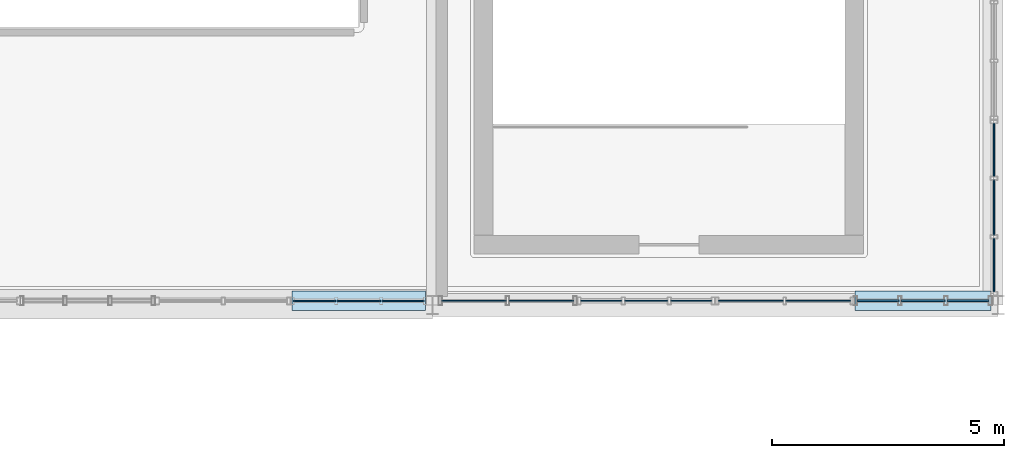
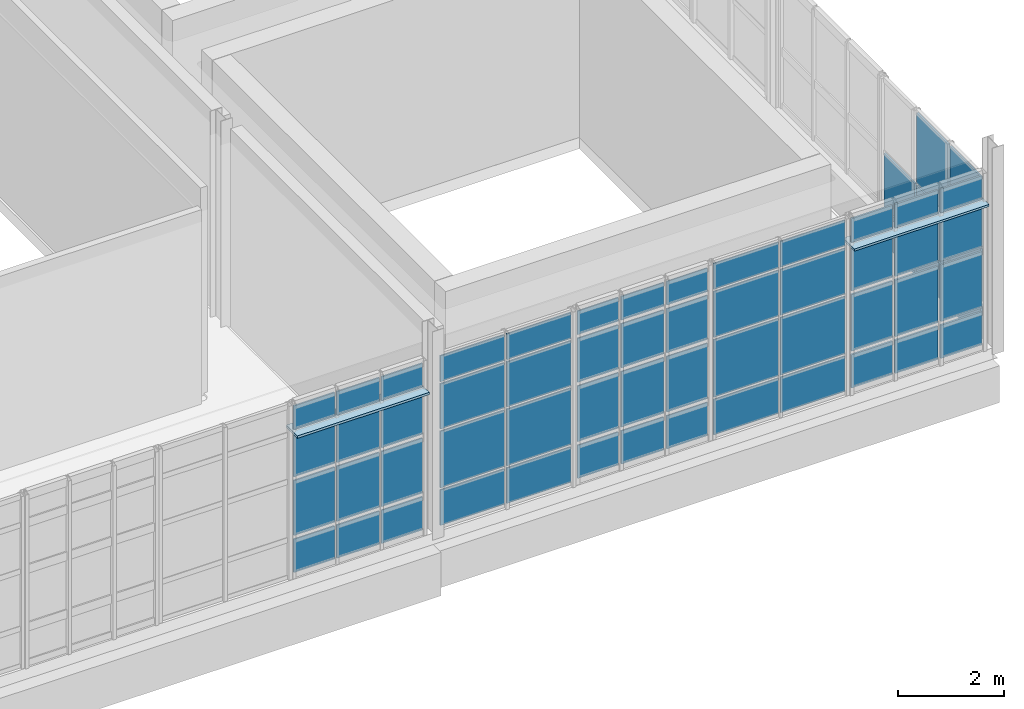
# One storey, part 78 of 102: 62 plates, 6 elements without a shape of their own.
"""IFC4 building model written with IfcOpenShell, lengths in metres."""

from ifc_helpers import new_model, si_unit, derived_unit, direction, frame, origin, origin_2d, place, context, subcontext, project, spatial, rectangle, extrude, material, layer, layer_set, type_object, element, aggregate, save


model = new_model("IFC4")

# Units and contexts
model_context = context("Model", 3, precision=1e-05, world=origin(), true_north=direction((0.0, 1.0)))
body_context = subcontext(model_context, "Body", "Model", "MODEL_VIEW")
ifc_project = project(units=[si_unit("LENGTHUNIT", "METRE"), si_unit("AREAUNIT", "SQUARE_METRE"), si_unit("VOLUMEUNIT", "CUBIC_METRE"), si_unit("PLANEANGLEUNIT", "RADIAN"), si_unit("MASSUNIT", "GRAM", prefix="KILO"), derived_unit("THERMALTRANSMITTANCEUNIT", [(si_unit("POWERUNIT", "WATT"), 1), (si_unit("LENGTHUNIT", "METRE"), -2), (si_unit("THERMODYNAMICTEMPERATUREUNIT", "KELVIN"), -1)])], contexts=[model_context])

# Site, building, storey
site_placement = place(None, origin())
site = spatial("IfcSite", under=ifc_project, at=site_placement, CompositionType="ELEMENT")
building_placement = place(site_placement, origin())
building = spatial("IfcBuilding", under=site, at=building_placement, Name="Nallur Shell Playhouse", CompositionType="ELEMENT")
storey_placement = place(building_placement, frame((0.0, 0.0, 15.0)))
storey = spatial("IfcBuildingStorey", under=building, at=storey_placement, Name="L04", CompositionType="ELEMENT", Elevation=15.0)

# Curtain wall, plates
ifc_material_1 = material(Name="Anodised Aluminium Double-Glazed Facade System", Category="aluminium")
ifc_layer_1 = layer(ifc_material_1, 0.1640625)
ifc_layer_set_1 = layer_set([ifc_layer_1], Name="Anodised Aluminium Double-Glazed Facade System")
curtain_wall_type_1 = type_object("IfcCurtainWallType", Name="CW-UNIT-25", PredefinedType="NOTDEFINED", material=ifc_layer_set_1)
curtain_wall_1_placement = place(storey_placement, origin())
curtain_wall_1 = element("IfcCurtainWall", 1, at=curtain_wall_1_placement, inside=storey, type_object=curtain_wall_type_1, Name="Unitised curtain wall CW-121 (L04)", PredefinedType="NOTDEFINED")
ifc_material_2 = material(Name="Solar-Control Low-E Laminated Insulating Glass", Category="glass")
ifc_layer_2 = layer(ifc_material_2, 0.02587890625)
ifc_layer_set_2 = layer_set([ifc_layer_2], Name="Solar-Control Low-E Laminated Insulating Glass")
plate_type_1 = type_object("IfcPlateType", Name="PT-GLZ-01", PredefinedType="CURTAIN_PANEL", material=ifc_layer_set_2)
plate_1_placement = place(storey_placement, frame((155.9189453125, 24.090087890625, 0.05712890625), z_axis=(0.0, 0.0, 1.0), x_axis=(-1.0, 0.0, 0.0)))
plate_1 = element("IfcPlate", 2, at=plate_1_placement, type_object=plate_type_1, Name="CW-25 panel 1.1", PredefinedType="CURTAIN_PANEL", context=body_context, shape_type="SweptSolid", body=[
    extrude(rectangle(XDim=1.4052734375, YDim=0.02587890625, at=origin_2d()), origin(), (0.0, 0.0, 1.0), 0.818603515625),
])
plate_2_placement = place(storey_placement, frame((155.9189453125, 24.090087890625, 0.92431640625), z_axis=(0.0, 0.0, 1.0), x_axis=(-1.0, 0.0, 0.0)))
plate_2 = element("IfcPlate", 3, at=plate_2_placement, type_object=plate_type_1, Name="CW-25 panel 1.2", PredefinedType="CURTAIN_PANEL", context=body_context, shape_type="SweptSolid", body=[
    extrude(rectangle(XDim=1.4052734375, YDim=0.02587890625, at=origin_2d()), origin(), (0.0, 0.0, 1.0), 1.326904296875),
])
plate_3_placement = place(storey_placement, frame((155.9189453125, 24.090087890625, 2.300537109375), z_axis=(0.0, 0.0, 1.0), x_axis=(-1.0, 0.0, 0.0)))
plate_3 = element("IfcPlate", 4, at=plate_3_placement, type_object=plate_type_1, Name="CW-25 panel 1.3", PredefinedType="CURTAIN_PANEL", context=body_context, shape_type="SweptSolid", body=[
    extrude(rectangle(XDim=1.4052734375, YDim=0.02587890625, at=origin_2d()), origin(), (0.0, 0.0, 1.0), 1.06005859375),
])
plate_4_placement = place(storey_placement, frame((155.9189453125, 24.090087890625, 3.40966796875), z_axis=(0.0, 0.0, 1.0), x_axis=(-1.0, 0.0, 0.0)))
plate_4 = element("IfcPlate", 5, at=plate_4_placement, type_object=plate_type_1, Name="CW-25 panel 1.4", PredefinedType="CURTAIN_PANEL", context=body_context, shape_type="SweptSolid", body=[
    extrude(rectangle(XDim=1.4052734375, YDim=0.02587890625, at=origin_2d()), origin(), (0.0, 0.0, 1.0), 0.598388671875),
])
plate_5_placement = place(storey_placement, frame((154.464599609375, 24.090087890625, 0.05712890625), z_axis=(0.0, 0.0, 1.0), x_axis=(-1.0, 0.0, 0.0)))
plate_5 = element("IfcPlate", 6, at=plate_5_placement, type_object=plate_type_1, Name="CW-25 panel 2.1", PredefinedType="CURTAIN_PANEL", context=body_context, shape_type="SweptSolid", body=[
    extrude(rectangle(XDim=1.4052734375, YDim=0.02587890625, at=origin_2d()), origin(), (0.0, 0.0, 1.0), 0.818603515625),
])
plate_6_placement = place(storey_placement, frame((154.464599609375, 24.090087890625, 0.92431640625), z_axis=(0.0, 0.0, 1.0), x_axis=(-1.0, 0.0, 0.0)))
plate_6 = element("IfcPlate", 7, at=plate_6_placement, type_object=plate_type_1, Name="CW-25 panel 2.2", PredefinedType="CURTAIN_PANEL", context=body_context, shape_type="SweptSolid", body=[
    extrude(rectangle(XDim=1.4052734375, YDim=0.02587890625, at=origin_2d()), origin(), (0.0, 0.0, 1.0), 1.326904296875),
])
plate_7_placement = place(storey_placement, frame((154.464599609375, 24.090087890625, 2.300537109375), z_axis=(0.0, 0.0, 1.0), x_axis=(-1.0, 0.0, 0.0)))
plate_7 = element("IfcPlate", 8, at=plate_7_placement, type_object=plate_type_1, Name="CW-25 panel 2.3", PredefinedType="CURTAIN_PANEL", context=body_context, shape_type="SweptSolid", body=[
    extrude(rectangle(XDim=1.4052734375, YDim=0.02587890625, at=origin_2d()), origin(), (0.0, 0.0, 1.0), 1.06005859375),
])
plate_8_placement = place(storey_placement, frame((154.464599609375, 24.090087890625, 3.40966796875), z_axis=(0.0, 0.0, 1.0), x_axis=(-1.0, 0.0, 0.0)))
plate_8 = element("IfcPlate", 9, at=plate_8_placement, type_object=plate_type_1, Name="CW-25 panel 2.4", PredefinedType="CURTAIN_PANEL", context=body_context, shape_type="SweptSolid", body=[
    extrude(rectangle(XDim=1.4052734375, YDim=0.02587890625, at=origin_2d()), origin(), (0.0, 0.0, 1.0), 0.598388671875),
])
aggregate(curtain_wall_1, [plate_1, plate_2, plate_3, plate_4, plate_5, plate_6, plate_7, plate_8])

ifc_layer_3 = layer(ifc_material_1, 0.16796875)
ifc_layer_set_3 = layer_set([ifc_layer_3], Name="Anodised Aluminium Double-Glazed Facade System")
curtain_wall_type_2 = type_object("IfcCurtainWallType", Name="CW-UNIT-26", PredefinedType="NOTDEFINED", material=ifc_layer_set_3)
curtain_wall_2_placement = place(storey_placement, origin())
curtain_wall_2 = element("IfcCurtainWall", 10, at=curtain_wall_2_placement, inside=storey, type_object=curtain_wall_type_2, Name="Unitised curtain wall CW-122 (L04)", PredefinedType="NOTDEFINED")
ifc_layer_4 = layer(ifc_material_2, 0.028076171875)
ifc_layer_set_4 = layer_set([ifc_layer_4], Name="Solar-Control Low-E Laminated Insulating Glass")
plate_type_2 = type_object("IfcPlateType", Name="PT-GLZ-02", PredefinedType="CURTAIN_PANEL", material=ifc_layer_set_4)
plate_9_placement = place(storey_placement, frame((153.179443359375, 24.090087890625, 0.092041015625), z_axis=(0.0, 0.0, 1.0), x_axis=(-1.0, 0.0, 0.0)))
plate_9 = element("IfcPlate", 11, at=plate_9_placement, type_object=plate_type_2, Name="CW-26 panel 1.1", PredefinedType="CURTAIN_PANEL", context=body_context, shape_type="SweptSolid", body=[
    extrude(rectangle(XDim=0.88720703125, YDim=0.028076171875, at=origin_2d()), origin(), (0.0, 0.0, 1.0), 0.76611328125),
])
plate_10_placement = place(storey_placement, frame((153.179443359375, 24.090087890625, 0.94189453125), z_axis=(0.0, 0.0, 1.0), x_axis=(-1.0, 0.0, 0.0)))
plate_10 = element("IfcPlate", 12, at=plate_10_placement, type_object=plate_type_2, Name="CW-26 panel 1.2", PredefinedType="CURTAIN_PANEL", context=body_context, shape_type="SweptSolid", body=[
    extrude(rectangle(XDim=0.88720703125, YDim=0.028076171875, at=origin_2d()), origin(), (0.0, 0.0, 1.0), 1.281005859375),
])
plate_11_placement = place(storey_placement, frame((153.179443359375, 24.090087890625, 2.306884765625), z_axis=(0.0, 0.0, 1.0), x_axis=(-1.0, 0.0, 0.0)))
plate_11 = element("IfcPlate", 13, at=plate_11_placement, type_object=plate_type_2, Name="CW-26 panel 1.3", PredefinedType="CURTAIN_PANEL", context=body_context, shape_type="SweptSolid", body=[
    extrude(rectangle(XDim=0.88720703125, YDim=0.028076171875, at=origin_2d()), origin(), (0.0, 0.0, 1.0), 1.01611328125),
])
plate_12_placement = place(storey_placement, frame((153.179443359375, 24.090087890625, 3.406982421875), z_axis=(0.0, 0.0, 1.0), x_axis=(-1.0, 0.0, 0.0)))
plate_12 = element("IfcPlate", 14, at=plate_12_placement, type_object=plate_type_2, Name="CW-26 panel 1.4", PredefinedType="CURTAIN_PANEL", context=body_context, shape_type="SweptSolid", body=[
    extrude(rectangle(XDim=0.88720703125, YDim=0.028076171875, at=origin_2d()), origin(), (0.0, 0.0, 1.0), 0.5458984375),
])
plate_13_placement = place(storey_placement, frame((152.208251953125, 24.090087890625, 0.092041015625), z_axis=(0.0, 0.0, 1.0), x_axis=(-1.0, 0.0, 0.0)))
plate_13 = element("IfcPlate", 15, at=plate_13_placement, type_object=plate_type_2, Name="CW-26 panel 2.1", PredefinedType="CURTAIN_PANEL", context=body_context, shape_type="SweptSolid", body=[
    extrude(rectangle(XDim=0.92724609375, YDim=0.028076171875, at=origin_2d()), origin(), (0.0, 0.0, 1.0), 0.76611328125),
])
plate_14_placement = place(storey_placement, frame((152.208251953125, 24.090087890625, 0.94189453125), z_axis=(0.0, 0.0, 1.0), x_axis=(-1.0, 0.0, 0.0)))
plate_14 = element("IfcPlate", 16, at=plate_14_placement, type_object=plate_type_2, Name="CW-26 panel 2.2", PredefinedType="CURTAIN_PANEL", context=body_context, shape_type="SweptSolid", body=[
    extrude(rectangle(XDim=0.92724609375, YDim=0.028076171875, at=origin_2d()), origin(), (0.0, 0.0, 1.0), 1.281005859375),
])
plate_15_placement = place(storey_placement, frame((152.208251953125, 24.090087890625, 2.306884765625), z_axis=(0.0, 0.0, 1.0), x_axis=(-1.0, 0.0, 0.0)))
plate_15 = element("IfcPlate", 17, at=plate_15_placement, type_object=plate_type_2, Name="CW-26 panel 2.3", PredefinedType="CURTAIN_PANEL", context=body_context, shape_type="SweptSolid", body=[
    extrude(rectangle(XDim=0.92724609375, YDim=0.028076171875, at=origin_2d()), origin(), (0.0, 0.0, 1.0), 1.01611328125),
])
plate_16_placement = place(storey_placement, frame((152.208251953125, 24.090087890625, 3.406982421875), z_axis=(0.0, 0.0, 1.0), x_axis=(-1.0, 0.0, 0.0)))
plate_16 = element("IfcPlate", 18, at=plate_16_placement, type_object=plate_type_2, Name="CW-26 panel 2.4", PredefinedType="CURTAIN_PANEL", context=body_context, shape_type="SweptSolid", body=[
    extrude(rectangle(XDim=0.92724609375, YDim=0.028076171875, at=origin_2d()), origin(), (0.0, 0.0, 1.0), 0.5458984375),
])
plate_17_placement = place(storey_placement, frame((151.237060546875, 24.090087890625, 0.092041015625), z_axis=(0.0, 0.0, 1.0), x_axis=(-1.0, 0.0, 0.0)))
plate_17 = element("IfcPlate", 19, at=plate_17_placement, type_object=plate_type_2, Name="CW-26 panel 3.1", PredefinedType="CURTAIN_PANEL", context=body_context, shape_type="SweptSolid", body=[
    extrude(rectangle(XDim=0.88720703125, YDim=0.028076171875, at=origin_2d()), origin(), (0.0, 0.0, 1.0), 0.76611328125),
])
plate_18_placement = place(storey_placement, frame((151.237060546875, 24.090087890625, 0.94189453125), z_axis=(0.0, 0.0, 1.0), x_axis=(-1.0, 0.0, 0.0)))
plate_18 = element("IfcPlate", 20, at=plate_18_placement, type_object=plate_type_2, Name="CW-26 panel 3.2", PredefinedType="CURTAIN_PANEL", context=body_context, shape_type="SweptSolid", body=[
    extrude(rectangle(XDim=0.88720703125, YDim=0.028076171875, at=origin_2d()), origin(), (0.0, 0.0, 1.0), 1.281005859375),
])
plate_19_placement = place(storey_placement, frame((151.237060546875, 24.090087890625, 2.306884765625), z_axis=(0.0, 0.0, 1.0), x_axis=(-1.0, 0.0, 0.0)))
plate_19 = element("IfcPlate", 21, at=plate_19_placement, type_object=plate_type_2, Name="CW-26 panel 3.3", PredefinedType="CURTAIN_PANEL", context=body_context, shape_type="SweptSolid", body=[
    extrude(rectangle(XDim=0.88720703125, YDim=0.028076171875, at=origin_2d()), origin(), (0.0, 0.0, 1.0), 1.01611328125),
])
plate_20_placement = place(storey_placement, frame((151.237060546875, 24.090087890625, 3.406982421875), z_axis=(0.0, 0.0, 1.0), x_axis=(-1.0, 0.0, 0.0)))
plate_20 = element("IfcPlate", 22, at=plate_20_placement, type_object=plate_type_2, Name="CW-26 panel 3.4", PredefinedType="CURTAIN_PANEL", context=body_context, shape_type="SweptSolid", body=[
    extrude(rectangle(XDim=0.88720703125, YDim=0.028076171875, at=origin_2d()), origin(), (0.0, 0.0, 1.0), 0.5458984375),
])
aggregate(curtain_wall_2, [plate_9, plate_10, plate_11, plate_12, plate_13, plate_14, plate_15, plate_16, plate_17, plate_18, plate_19, plate_20])

ifc_layer_5 = layer(ifc_material_1, 0.172119140625)
ifc_layer_set_5 = layer_set([ifc_layer_5], Name="Anodised Aluminium Double-Glazed Facade System")
curtain_wall_type_3 = type_object("IfcCurtainWallType", Name="CW-UNIT-27", PredefinedType="NOTDEFINED", material=ifc_layer_set_5)
curtain_wall_3_placement = place(storey_placement, origin())
curtain_wall_3 = element("IfcCurtainWall", 23, at=curtain_wall_3_placement, inside=storey, type_object=curtain_wall_type_3, Name="Unitised curtain wall CW-123 (L04)", PredefinedType="NOTDEFINED")
ifc_layer_6 = layer(ifc_material_2, 0.030029296875)
ifc_layer_set_6 = layer_set([ifc_layer_6], Name="Solar-Control Low-E Laminated Insulating Glass")
plate_type_3 = type_object("IfcPlateType", Name="PT-GLZ-03", PredefinedType="CURTAIN_PANEL", material=ifc_layer_set_6)
plate_21_placement = place(storey_placement, frame((149.9482421875, 24.090087890625, 0.05712890625), z_axis=(0.0, 0.0, 1.0), x_axis=(-1.0, 0.0, 0.0)))
plate_21 = element("IfcPlate", 24, at=plate_21_placement, type_object=plate_type_3, Name="CW-27 panel 1.1", PredefinedType="CURTAIN_PANEL", context=body_context, shape_type="SweptSolid", body=[
    extrude(rectangle(XDim=1.392822265625, YDim=0.030029296875, at=origin_2d()), origin(), (0.0, 0.0, 1.0), 0.818603515625),
])
plate_22_placement = place(storey_placement, frame((149.9482421875, 24.090087890625, 0.92431640625), z_axis=(0.0, 0.0, 1.0), x_axis=(-1.0, 0.0, 0.0)))
plate_22 = element("IfcPlate", 25, at=plate_22_placement, type_object=plate_type_3, Name="CW-27 panel 1.2", PredefinedType="CURTAIN_PANEL", context=body_context, shape_type="SweptSolid", body=[
    extrude(rectangle(XDim=1.392822265625, YDim=0.030029296875, at=origin_2d()), origin(), (0.0, 0.0, 1.0), 1.304931640625),
])
plate_23_placement = place(storey_placement, frame((149.9482421875, 24.090087890625, 2.278564453125), z_axis=(0.0, 0.0, 1.0), x_axis=(-1.0, 0.0, 0.0)))
plate_23 = element("IfcPlate", 26, at=plate_23_placement, type_object=plate_type_3, Name="CW-27 panel 1.3", PredefinedType="CURTAIN_PANEL", context=body_context, shape_type="SweptSolid", body=[
    extrude(rectangle(XDim=1.392822265625, YDim=0.030029296875, at=origin_2d()), origin(), (0.0, 0.0, 1.0), 1.0419921875),
])
plate_24_placement = place(storey_placement, frame((149.9482421875, 24.090087890625, 3.36962890625), z_axis=(0.0, 0.0, 1.0), x_axis=(-1.0, 0.0, 0.0)))
plate_24 = element("IfcPlate", 27, at=plate_24_placement, type_object=plate_type_3, Name="CW-27 panel 1.4", PredefinedType="CURTAIN_PANEL", context=body_context, shape_type="SweptSolid", body=[
    extrude(rectangle(XDim=1.392822265625, YDim=0.030029296875, at=origin_2d()), origin(), (0.0, 0.0, 1.0), 0.598388671875),
])
plate_25_placement = place(storey_placement, frame((148.496337890625, 24.090087890625, 0.05712890625), z_axis=(0.0, 0.0, 1.0), x_axis=(-1.0, 0.0, 0.0)))
plate_25 = element("IfcPlate", 28, at=plate_25_placement, type_object=plate_type_3, Name="CW-27 panel 2.1", PredefinedType="CURTAIN_PANEL", context=body_context, shape_type="SweptSolid", body=[
    extrude(rectangle(XDim=1.392822265625, YDim=0.030029296875, at=origin_2d()), origin(), (0.0, 0.0, 1.0), 0.818603515625),
])
plate_26_placement = place(storey_placement, frame((148.496337890625, 24.090087890625, 0.92431640625), z_axis=(0.0, 0.0, 1.0), x_axis=(-1.0, 0.0, 0.0)))
plate_26 = element("IfcPlate", 29, at=plate_26_placement, type_object=plate_type_3, Name="CW-27 panel 2.2", PredefinedType="CURTAIN_PANEL", context=body_context, shape_type="SweptSolid", body=[
    extrude(rectangle(XDim=1.392822265625, YDim=0.030029296875, at=origin_2d()), origin(), (0.0, 0.0, 1.0), 1.304931640625),
])
plate_27_placement = place(storey_placement, frame((148.496337890625, 24.090087890625, 2.278564453125), z_axis=(0.0, 0.0, 1.0), x_axis=(-1.0, 0.0, 0.0)))
plate_27 = element("IfcPlate", 30, at=plate_27_placement, type_object=plate_type_3, Name="CW-27 panel 2.3", PredefinedType="CURTAIN_PANEL", context=body_context, shape_type="SweptSolid", body=[
    extrude(rectangle(XDim=1.392822265625, YDim=0.030029296875, at=origin_2d()), origin(), (0.0, 0.0, 1.0), 1.0419921875),
])
plate_28_placement = place(storey_placement, frame((148.496337890625, 24.090087890625, 3.36962890625), z_axis=(0.0, 0.0, 1.0), x_axis=(-1.0, 0.0, 0.0)))
plate_28 = element("IfcPlate", 31, at=plate_28_placement, type_object=plate_type_3, Name="CW-27 panel 2.4", PredefinedType="CURTAIN_PANEL", context=body_context, shape_type="SweptSolid", body=[
    extrude(rectangle(XDim=1.392822265625, YDim=0.030029296875, at=origin_2d()), origin(), (0.0, 0.0, 1.0), 0.598388671875),
])
aggregate(curtain_wall_3, [plate_21, plate_22, plate_23, plate_24, plate_25, plate_26, plate_27, plate_28])

ifc_layer_7 = layer(ifc_material_1, 0.176025390625)
ifc_layer_set_7 = layer_set([ifc_layer_7], Name="Anodised Aluminium Double-Glazed Facade System")
curtain_wall_type_4 = type_object("IfcCurtainWallType", Name="CW-UNIT-28", PredefinedType="NOTDEFINED", material=ifc_layer_set_7)
curtain_wall_4_placement = place(storey_placement, origin())
curtain_wall_4 = element("IfcCurtainWall", 32, at=curtain_wall_4_placement, inside=storey, type_object=curtain_wall_type_4, Name="Unitised curtain wall CW-124 (L04)", PredefinedType="NOTDEFINED")
ifc_layer_8 = layer(ifc_material_2, 0.031982421875)
ifc_layer_set_8 = layer_set([ifc_layer_8], Name="Solar-Control Low-E Laminated Insulating Glass")
plate_type_4 = type_object("IfcPlateType", Name="PT-GLZ-04", PredefinedType="CURTAIN_PANEL", material=ifc_layer_set_8)
plate_29_placement = place(storey_placement, frame((146.96484375, 24.090087890625, 0.092041015625), z_axis=(0.0, 0.0, 1.0), x_axis=(-1.0, 0.0, 0.0)))
plate_29 = element("IfcPlate", 33, at=plate_29_placement, type_object=plate_type_4, Name="CW-28 panel 1.1", PredefinedType="CURTAIN_PANEL", context=body_context, shape_type="SweptSolid", body=[
    extrude(rectangle(XDim=0.890380859375, YDim=0.031982421875, at=origin_2d()), origin(), (0.0, 0.0, 1.0), 0.76611328125),
])
plate_30_placement = place(storey_placement, frame((146.96484375, 24.090087890625, 0.94189453125), z_axis=(0.0, 0.0, 1.0), x_axis=(-1.0, 0.0, 0.0)))
plate_30 = element("IfcPlate", 34, at=plate_30_placement, type_object=plate_type_4, Name="CW-28 panel 1.2", PredefinedType="CURTAIN_PANEL", context=body_context, shape_type="SweptSolid", body=[
    extrude(rectangle(XDim=0.890380859375, YDim=0.031982421875, at=origin_2d()), origin(), (0.0, 0.0, 1.0), 1.27001953125),
])
plate_31_placement = place(storey_placement, frame((146.96484375, 24.090087890625, 2.2958984375), z_axis=(0.0, 0.0, 1.0), x_axis=(-1.0, 0.0, 0.0)))
plate_31 = element("IfcPlate", 35, at=plate_31_placement, type_object=plate_type_4, Name="CW-28 panel 1.3", PredefinedType="CURTAIN_PANEL", context=body_context, shape_type="SweptSolid", body=[
    extrude(rectangle(XDim=0.890380859375, YDim=0.031982421875, at=origin_2d()), origin(), (0.0, 0.0, 1.0), 1.007080078125),
])
plate_32_placement = place(storey_placement, frame((146.96484375, 24.090087890625, 3.386962890625), z_axis=(0.0, 0.0, 1.0), x_axis=(-1.0, 0.0, 0.0)))
plate_32 = element("IfcPlate", 36, at=plate_32_placement, type_object=plate_type_4, Name="CW-28 panel 1.4", PredefinedType="CURTAIN_PANEL", context=body_context, shape_type="SweptSolid", body=[
    extrude(rectangle(XDim=0.890380859375, YDim=0.031982421875, at=origin_2d()), origin(), (0.0, 0.0, 1.0), 0.5458984375),
])
plate_33_placement = place(storey_placement, frame((146.009033203125, 24.090087890625, 0.092041015625), z_axis=(0.0, 0.0, 1.0), x_axis=(-1.0, 0.0, 0.0)))
plate_33 = element("IfcPlate", 37, at=plate_33_placement, type_object=plate_type_4, Name="CW-28 panel 2.1", PredefinedType="CURTAIN_PANEL", context=body_context, shape_type="SweptSolid", body=[
    extrude(rectangle(XDim=0.923095703125, YDim=0.031982421875, at=origin_2d()), origin(), (0.0, 0.0, 1.0), 0.76611328125),
])
plate_34_placement = place(storey_placement, frame((146.009033203125, 24.090087890625, 0.94189453125), z_axis=(0.0, 0.0, 1.0), x_axis=(-1.0, 0.0, 0.0)))
plate_34 = element("IfcPlate", 38, at=plate_34_placement, type_object=plate_type_4, Name="CW-28 panel 2.2", PredefinedType="CURTAIN_PANEL", context=body_context, shape_type="SweptSolid", body=[
    extrude(rectangle(XDim=0.923095703125, YDim=0.031982421875, at=origin_2d()), origin(), (0.0, 0.0, 1.0), 1.27001953125),
])
plate_35_placement = place(storey_placement, frame((146.009033203125, 24.090087890625, 2.2958984375), z_axis=(0.0, 0.0, 1.0), x_axis=(-1.0, 0.0, 0.0)))
plate_35 = element("IfcPlate", 39, at=plate_35_placement, type_object=plate_type_4, Name="CW-28 panel 2.3", PredefinedType="CURTAIN_PANEL", context=body_context, shape_type="SweptSolid", body=[
    extrude(rectangle(XDim=0.923095703125, YDim=0.031982421875, at=origin_2d()), origin(), (0.0, 0.0, 1.0), 1.007080078125),
])
plate_36_placement = place(storey_placement, frame((146.009033203125, 24.090087890625, 3.386962890625), z_axis=(0.0, 0.0, 1.0), x_axis=(-1.0, 0.0, 0.0)))
plate_36 = element("IfcPlate", 40, at=plate_36_placement, type_object=plate_type_4, Name="CW-28 panel 2.4", PredefinedType="CURTAIN_PANEL", context=body_context, shape_type="SweptSolid", body=[
    extrude(rectangle(XDim=0.923095703125, YDim=0.031982421875, at=origin_2d()), origin(), (0.0, 0.0, 1.0), 0.5458984375),
])
plate_37_placement = place(storey_placement, frame((145.05322265625, 24.090087890625, 0.092041015625), z_axis=(0.0, 0.0, 1.0), x_axis=(-1.0, 0.0, 0.0)))
plate_37 = element("IfcPlate", 41, at=plate_37_placement, type_object=plate_type_4, Name="CW-28 panel 3.1", PredefinedType="CURTAIN_PANEL", context=body_context, shape_type="SweptSolid", body=[
    extrude(rectangle(XDim=0.890380859375, YDim=0.031982421875, at=origin_2d()), origin(), (0.0, 0.0, 1.0), 0.76611328125),
])
plate_38_placement = place(storey_placement, frame((145.05322265625, 24.090087890625, 0.94189453125), z_axis=(0.0, 0.0, 1.0), x_axis=(-1.0, 0.0, 0.0)))
plate_38 = element("IfcPlate", 42, at=plate_38_placement, type_object=plate_type_4, Name="CW-28 panel 3.2", PredefinedType="CURTAIN_PANEL", context=body_context, shape_type="SweptSolid", body=[
    extrude(rectangle(XDim=0.890380859375, YDim=0.031982421875, at=origin_2d()), origin(), (0.0, 0.0, 1.0), 1.27001953125),
])
plate_39_placement = place(storey_placement, frame((145.05322265625, 24.090087890625, 2.2958984375), z_axis=(0.0, 0.0, 1.0), x_axis=(-1.0, 0.0, 0.0)))
plate_39 = element("IfcPlate", 43, at=plate_39_placement, type_object=plate_type_4, Name="CW-28 panel 3.3", PredefinedType="CURTAIN_PANEL", context=body_context, shape_type="SweptSolid", body=[
    extrude(rectangle(XDim=0.890380859375, YDim=0.031982421875, at=origin_2d()), origin(), (0.0, 0.0, 1.0), 1.007080078125),
])
plate_40_placement = place(storey_placement, frame((145.05322265625, 24.090087890625, 3.386962890625), z_axis=(0.0, 0.0, 1.0), x_axis=(-1.0, 0.0, 0.0)))
plate_40 = element("IfcPlate", 44, at=plate_40_placement, type_object=plate_type_4, Name="CW-28 panel 3.4", PredefinedType="CURTAIN_PANEL", context=body_context, shape_type="SweptSolid", body=[
    extrude(rectangle(XDim=0.890380859375, YDim=0.031982421875, at=origin_2d()), origin(), (0.0, 0.0, 1.0), 0.5458984375),
])
aggregate(curtain_wall_4, [plate_29, plate_30, plate_31, plate_32, plate_33, plate_34, plate_35, plate_36, plate_37, plate_38, plate_39, plate_40])

ifc_layer_9 = layer(ifc_material_1, 0.179931640625)
ifc_layer_set_9 = layer_set([ifc_layer_9], Name="Anodised Aluminium Double-Glazed Facade System")
curtain_wall_type_5 = type_object("IfcCurtainWallType", Name="CW-UNIT-23", PredefinedType="NOTDEFINED", material=ifc_layer_set_9)
curtain_wall_5_placement = place(storey_placement, origin())
curtain_wall_5 = element("IfcCurtainWall", 45, at=curtain_wall_5_placement, inside=storey, type_object=curtain_wall_type_5, Name="Unitised curtain wall CW-119 (L04)", PredefinedType="NOTDEFINED")
ifc_layer_10 = layer(ifc_material_2, 0.0380859375)
ifc_layer_set_10 = layer_set([ifc_layer_10], Name="Solar-Control Low-E Laminated Insulating Glass")
plate_type_5 = type_object("IfcPlateType", Name="PT-GLZ-07", PredefinedType="CURTAIN_PANEL", material=ifc_layer_set_10)
plate_41_placement = place(storey_placement, frame((159.7099609375, 27.34375, 0.05712890625), z_axis=(0.0, 0.0, 1.0), x_axis=(0.0, -1.0, 0.0)))
plate_41 = element("IfcPlate", 46, at=plate_41_placement, type_object=plate_type_5, Name="CW-23 panel 1.1", PredefinedType="CURTAIN_PANEL", context=body_context, shape_type="SweptSolid", body=[
    extrude(rectangle(XDim=1.158447265625, YDim=0.0380859375, at=origin_2d()), origin(), (0.0, 0.0, 1.0), 0.818603515625),
])
plate_42_placement = place(storey_placement, frame((159.7099609375, 27.34375, 0.92431640625), z_axis=(0.0, 0.0, 1.0), x_axis=(0.0, -1.0, 0.0)))
plate_42 = element("IfcPlate", 47, at=plate_42_placement, type_object=plate_type_5, Name="CW-23 panel 1.2", PredefinedType="CURTAIN_PANEL", context=body_context, shape_type="SweptSolid", body=[
    extrude(rectangle(XDim=1.158447265625, YDim=0.0380859375, at=origin_2d()), origin(), (0.0, 0.0, 1.0), 1.220947265625),
])
plate_43_placement = place(storey_placement, frame((159.7099609375, 26.1015625, 0.05712890625), z_axis=(0.0, 0.0, 1.0), x_axis=(0.0, -1.0, 0.0)))
plate_43 = element("IfcPlate", 48, at=plate_43_placement, type_object=plate_type_5, Name="CW-23 panel 2.1", PredefinedType="CURTAIN_PANEL", context=body_context, shape_type="SweptSolid", body=[
    extrude(rectangle(XDim=1.1982421875, YDim=0.0380859375, at=origin_2d()), origin(), (0.0, 0.0, 1.0), 0.818603515625),
])
plate_44_placement = place(storey_placement, frame((159.7099609375, 26.1015625, 0.92431640625), z_axis=(0.0, 0.0, 1.0), x_axis=(0.0, -1.0, 0.0)))
plate_44 = element("IfcPlate", 49, at=plate_44_placement, type_object=plate_type_5, Name="CW-23 panel 2.2", PredefinedType="CURTAIN_PANEL", context=body_context, shape_type="SweptSolid", body=[
    extrude(rectangle(XDim=1.1982421875, YDim=0.0380859375, at=origin_2d()), origin(), (0.0, 0.0, 1.0), 1.220947265625),
])
plate_45_placement = place(storey_placement, frame((159.7099609375, 26.1015625, 2.194580078125), z_axis=(0.0, 0.0, 1.0), x_axis=(0.0, -1.0, 0.0)))
plate_45 = element("IfcPlate", 50, at=plate_45_placement, type_object=plate_type_5, Name="CW-23 panel 2.3", PredefinedType="CURTAIN_PANEL", context=body_context, shape_type="SweptSolid", body=[
    extrude(rectangle(XDim=1.1982421875, YDim=0.0380859375, at=origin_2d()), origin(), (0.0, 0.0, 1.0), 1.62353515625),
])
plate_46_placement = place(storey_placement, frame((159.7099609375, 24.859130859375, 0.05712890625), z_axis=(0.0, 0.0, 1.0), x_axis=(0.0, -1.0, 0.0)))
plate_46 = element("IfcPlate", 51, at=plate_46_placement, type_object=plate_type_5, Name="CW-23 panel 3.1", PredefinedType="CURTAIN_PANEL", context=body_context, shape_type="SweptSolid", body=[
    extrude(rectangle(XDim=1.158447265625, YDim=0.0380859375, at=origin_2d()), origin(), (0.0, 0.0, 1.0), 0.818603515625),
])
plate_47_placement = place(storey_placement, frame((159.7099609375, 24.859130859375, 0.92431640625), z_axis=(0.0, 0.0, 1.0), x_axis=(0.0, -1.0, 0.0)))
plate_47 = element("IfcPlate", 52, at=plate_47_placement, type_object=plate_type_5, Name="CW-23 panel 3.2", PredefinedType="CURTAIN_PANEL", context=body_context, shape_type="SweptSolid", body=[
    extrude(rectangle(XDim=1.158447265625, YDim=0.0380859375, at=origin_2d()), origin(), (0.0, 0.0, 1.0), 1.220947265625),
])
plate_48_placement = place(storey_placement, frame((159.7099609375, 24.859130859375, 2.194580078125), z_axis=(0.0, 0.0, 1.0), x_axis=(0.0, -1.0, 0.0)))
plate_48 = element("IfcPlate", 53, at=plate_48_placement, type_object=plate_type_5, Name="CW-23 panel 3.3", PredefinedType="CURTAIN_PANEL", context=body_context, shape_type="SweptSolid", body=[
    extrude(rectangle(XDim=1.158447265625, YDim=0.0380859375, at=origin_2d()), origin(), (0.0, 0.0, 1.0), 1.62353515625),
])
aggregate(curtain_wall_5, [plate_41, plate_42, plate_43, plate_44, plate_45, plate_46, plate_47, plate_48])

ifc_layer_11 = layer(ifc_material_1, 0.159912109375)
ifc_layer_set_11 = layer_set([ifc_layer_11], Name="Anodised Aluminium Double-Glazed Facade System")
curtain_wall_type_6 = type_object("IfcCurtainWallType", Name="CW-UNIT-24", PredefinedType="NOTDEFINED", material=ifc_layer_set_11)
curtain_wall_6_placement = place(storey_placement, origin())
curtain_wall_6 = element("IfcCurtainWall", 54, at=curtain_wall_6_placement, inside=storey, type_object=curtain_wall_type_6, Name="Unitised curtain wall CW-120 (L04)", PredefinedType="NOTDEFINED")
ifc_layer_12 = layer(ifc_material_2, 0.0400390625)
ifc_layer_set_12 = layer_set([ifc_layer_12], Name="Solar-Control Low-E Laminated Insulating Glass")
plate_type_6 = type_object("IfcPlateType", Name="PT-GLZ-08", PredefinedType="CURTAIN_PANEL", material=ifc_layer_set_12)
plate_49_placement = place(storey_placement, frame((159.15185546875, 24.090087890625, 0.092041015625), z_axis=(0.0, 0.0, 1.0), x_axis=(-1.0, 0.0, 0.0)))
plate_49 = element("IfcPlate", 55, at=plate_49_placement, type_object=plate_type_6, Name="CW-24 panel 1.1", PredefinedType="CURTAIN_PANEL", context=body_context, shape_type="SweptSolid", body=[
    extrude(rectangle(XDim=0.896240234375, YDim=0.0400390625, at=origin_2d()), origin(), (0.0, 0.0, 1.0), 0.76611328125),
])
plate_50_placement = place(storey_placement, frame((159.15185546875, 24.090087890625, 0.94189453125), z_axis=(0.0, 0.0, 1.0), x_axis=(-1.0, 0.0, 0.0)))
plate_50 = element("IfcPlate", 56, at=plate_50_placement, type_object=plate_type_6, Name="CW-24 panel 1.2", PredefinedType="CURTAIN_PANEL", context=body_context, shape_type="SweptSolid", body=[
    extrude(rectangle(XDim=0.896240234375, YDim=0.0400390625, at=origin_2d()), origin(), (0.0, 0.0, 1.0), 1.303955078125),
])
plate_51_placement = place(storey_placement, frame((159.15185546875, 24.090087890625, 2.330078125), z_axis=(0.0, 0.0, 1.0), x_axis=(-1.0, 0.0, 0.0)))
plate_51 = element("IfcPlate", 57, at=plate_51_placement, type_object=plate_type_6, Name="CW-24 panel 1.3", PredefinedType="CURTAIN_PANEL", context=body_context, shape_type="SweptSolid", body=[
    extrude(rectangle(XDim=0.896240234375, YDim=0.0400390625, at=origin_2d()), origin(), (0.0, 0.0, 1.0), 1.032958984375),
])
plate_52_placement = place(storey_placement, frame((159.15185546875, 24.090087890625, 3.447021484375), z_axis=(0.0, 0.0, 1.0), x_axis=(-1.0, 0.0, 0.0)))
plate_52 = element("IfcPlate", 58, at=plate_52_placement, type_object=plate_type_6, Name="CW-24 panel 1.4", PredefinedType="CURTAIN_PANEL", context=body_context, shape_type="SweptSolid", body=[
    extrude(rectangle(XDim=0.896240234375, YDim=0.0400390625, at=origin_2d()), origin(), (0.0, 0.0, 1.0), 0.5458984375),
])
plate_53_placement = place(storey_placement, frame((158.177734375, 24.090087890625, 0.092041015625), z_axis=(0.0, 0.0, 1.0), x_axis=(-1.0, 0.0, 0.0)))
plate_53 = element("IfcPlate", 59, at=plate_53_placement, type_object=plate_type_6, Name="CW-24 panel 2.1", PredefinedType="CURTAIN_PANEL", context=body_context, shape_type="SweptSolid", body=[
    extrude(rectangle(XDim=0.933837890625, YDim=0.0400390625, at=origin_2d()), origin(), (0.0, 0.0, 1.0), 0.76611328125),
])
plate_54_placement = place(storey_placement, frame((158.177734375, 24.090087890625, 0.94189453125), z_axis=(0.0, 0.0, 1.0), x_axis=(-1.0, 0.0, 0.0)))
plate_54 = element("IfcPlate", 60, at=plate_54_placement, type_object=plate_type_6, Name="CW-24 panel 2.2", PredefinedType="CURTAIN_PANEL", context=body_context, shape_type="SweptSolid", body=[
    extrude(rectangle(XDim=0.933837890625, YDim=0.0400390625, at=origin_2d()), origin(), (0.0, 0.0, 1.0), 1.303955078125),
])
plate_55_placement = place(storey_placement, frame((158.177734375, 24.090087890625, 2.330078125), z_axis=(0.0, 0.0, 1.0), x_axis=(-1.0, 0.0, 0.0)))
plate_55 = element("IfcPlate", 61, at=plate_55_placement, type_object=plate_type_6, Name="CW-24 panel 2.3", PredefinedType="CURTAIN_PANEL", context=body_context, shape_type="SweptSolid", body=[
    extrude(rectangle(XDim=0.933837890625, YDim=0.0400390625, at=origin_2d()), origin(), (0.0, 0.0, 1.0), 1.032958984375),
])
plate_56_placement = place(storey_placement, frame((158.177734375, 24.090087890625, 3.447021484375), z_axis=(0.0, 0.0, 1.0), x_axis=(-1.0, 0.0, 0.0)))
plate_56 = element("IfcPlate", 62, at=plate_56_placement, type_object=plate_type_6, Name="CW-24 panel 2.4", PredefinedType="CURTAIN_PANEL", context=body_context, shape_type="SweptSolid", body=[
    extrude(rectangle(XDim=0.933837890625, YDim=0.0400390625, at=origin_2d()), origin(), (0.0, 0.0, 1.0), 0.5458984375),
])
plate_57_placement = place(storey_placement, frame((157.20361328125, 24.090087890625, 0.092041015625), z_axis=(0.0, 0.0, 1.0), x_axis=(-1.0, 0.0, 0.0)))
plate_57 = element("IfcPlate", 63, at=plate_57_placement, type_object=plate_type_6, Name="CW-24 panel 3.1", PredefinedType="CURTAIN_PANEL", context=body_context, shape_type="SweptSolid", body=[
    extrude(rectangle(XDim=0.896240234375, YDim=0.0400390625, at=origin_2d()), origin(), (0.0, 0.0, 1.0), 0.76611328125),
])
plate_58_placement = place(storey_placement, frame((157.20361328125, 24.090087890625, 0.94189453125), z_axis=(0.0, 0.0, 1.0), x_axis=(-1.0, 0.0, 0.0)))
plate_58 = element("IfcPlate", 64, at=plate_58_placement, type_object=plate_type_6, Name="CW-24 panel 3.2", PredefinedType="CURTAIN_PANEL", context=body_context, shape_type="SweptSolid", body=[
    extrude(rectangle(XDim=0.896240234375, YDim=0.0400390625, at=origin_2d()), origin(), (0.0, 0.0, 1.0), 1.303955078125),
])
plate_59_placement = place(storey_placement, frame((157.20361328125, 24.090087890625, 2.330078125), z_axis=(0.0, 0.0, 1.0), x_axis=(-1.0, 0.0, 0.0)))
plate_59 = element("IfcPlate", 65, at=plate_59_placement, type_object=plate_type_6, Name="CW-24 panel 3.3", PredefinedType="CURTAIN_PANEL", context=body_context, shape_type="SweptSolid", body=[
    extrude(rectangle(XDim=0.896240234375, YDim=0.0400390625, at=origin_2d()), origin(), (0.0, 0.0, 1.0), 1.032958984375),
])
plate_60_placement = place(storey_placement, frame((157.20361328125, 24.090087890625, 3.447021484375), z_axis=(0.0, 0.0, 1.0), x_axis=(-1.0, 0.0, 0.0)))
plate_60 = element("IfcPlate", 66, at=plate_60_placement, type_object=plate_type_6, Name="CW-24 panel 3.4", PredefinedType="CURTAIN_PANEL", context=body_context, shape_type="SweptSolid", body=[
    extrude(rectangle(XDim=0.896240234375, YDim=0.0400390625, at=origin_2d()), origin(), (0.0, 0.0, 1.0), 0.5458984375),
])
aggregate(curtain_wall_6, [plate_49, plate_50, plate_51, plate_52, plate_53, plate_54, plate_55, plate_56, plate_57, plate_58, plate_59, plate_60])

# Plates
ifc_material_3 = material(Name="Terracotta & Gold-Anodised Monsoon Sunshade Blade", Category="masonry")
ifc_layer_13 = layer(ifc_material_3, 0.050048828125)
ifc_layer_set_13 = layer_set([ifc_layer_13], Name="Terracotta & Gold-Anodised Monsoon Sunshade Blade")
plate_type_7 = type_object("IfcPlateType", Name="PT-LOUVRE-02", PredefinedType="USERDEFINED", material=ifc_layer_set_13)
plate_61_placement = place(storey_placement, frame((158.177734375, 24.090087890625, 3.3798828125), z_axis=(0.0, 0.0, 1.0), x_axis=(-1.0, 0.0, 0.0)))
element("IfcPlate", 67, at=plate_61_placement, inside=storey, type_object=plate_type_7, Name="Monsoon sunshade louvre blade LV-030", ObjectType="SUNSHADE LOUVRE", PredefinedType="USERDEFINED", context=body_context, shape_type="SweptSolid", body=[
    extrude(rectangle(XDim=2.93798828125, YDim=0.419921875, at=origin_2d()), origin(), (0.0, 0.0, 1.0), 0.050048828125),
])
ifc_layer_14 = layer(ifc_material_3, 0.054931640625)
ifc_layer_set_14 = layer_set([ifc_layer_14], Name="Terracotta & Gold-Anodised Monsoon Sunshade Blade")
plate_type_8 = type_object("IfcPlateType", Name="PT-LOUVRE-03", PredefinedType="USERDEFINED", material=ifc_layer_set_14)
plate_62_placement = place(storey_placement, frame((146.009033203125, 24.090087890625, 3.3173828125), z_axis=(0.0, 0.0, 1.0), x_axis=(-1.0, 0.0, 0.0)))
element("IfcPlate", 68, at=plate_62_placement, inside=storey, type_object=plate_type_8, Name="Monsoon sunshade louvre blade LV-031", ObjectType="SUNSHADE LOUVRE", PredefinedType="USERDEFINED", context=body_context, shape_type="SweptSolid", body=[
    extrude(rectangle(XDim=2.8759765625, YDim=0.419921875, at=origin_2d()), origin(), (0.0, 0.0, 1.0), 0.054931640625),
])

save(model, "model.ifc")
